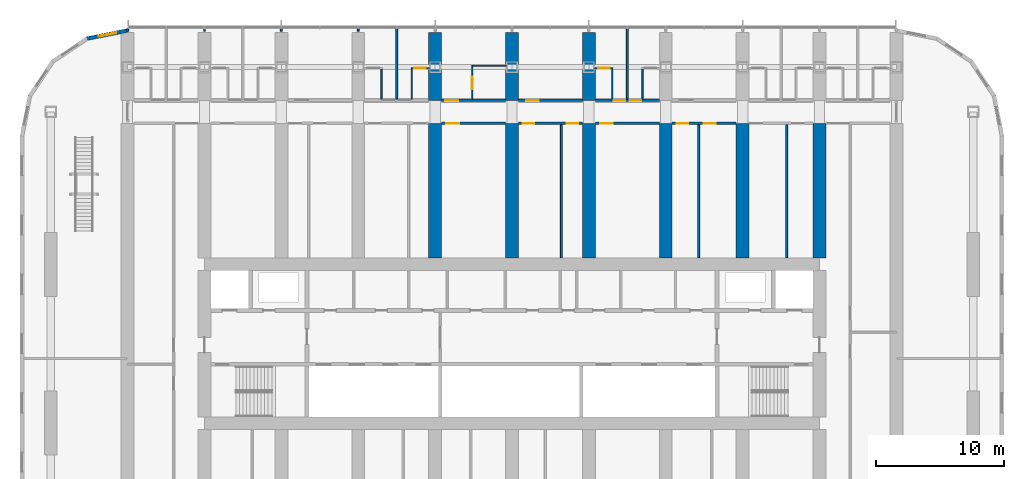
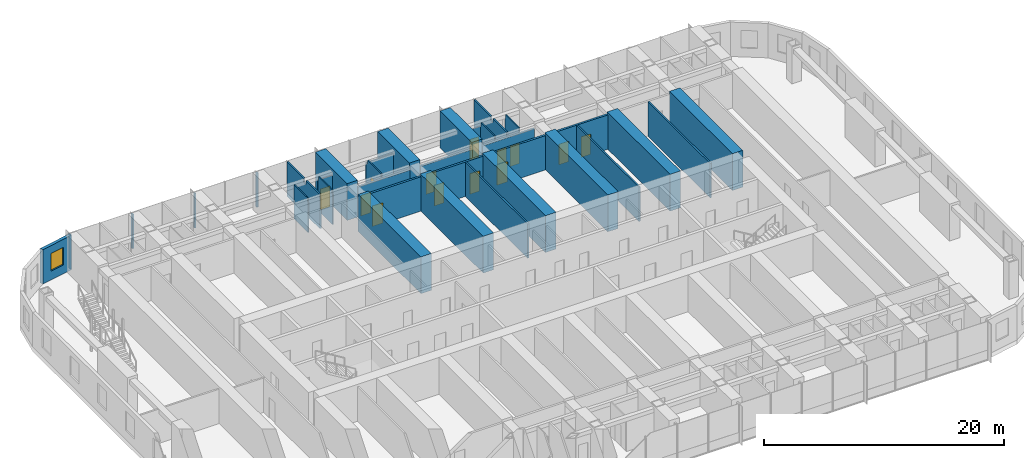
# One storey, part 18 of 28: 34 walls, 13 doors, 1 window, 14 openings.
"""IFC4 building model written with IfcOpenShell, lengths in metres."""

from ifc_helpers import new_model, si_unit, direction, frame, frame_2d, origin, place, context, subcontext, project, spatial, polyline, rectangle, outline, extrude, material, layer, layer_set, type_object, element, fill, save


model = new_model("IFC4")

# Units and contexts
model_context = context("Model", 3, precision=1e-05, world=origin(), true_north=direction((0.0, 1.0)))
body_context = subcontext(model_context, "Body", "Model", "MODEL_VIEW")
ifc_project = project(units=[si_unit("LENGTHUNIT", "METRE"), si_unit("AREAUNIT", "SQUARE_METRE"), si_unit("VOLUMEUNIT", "CUBIC_METRE"), si_unit("PLANEANGLEUNIT", "RADIAN"), si_unit("MASSUNIT", "GRAM", prefix="KILO")], contexts=[model_context])

# Site, building, storey
site_placement = place(None, origin())
site = spatial("IfcSite", under=ifc_project, at=site_placement, CompositionType="ELEMENT")
building_placement = place(site_placement, origin())
building = spatial("IfcBuilding", under=site, at=building_placement, Name="Orbita Commons", CompositionType="ELEMENT")
storey_placement = place(building_placement, frame((0.0, 0.0, 23.949951171875)))
storey = spatial("IfcBuildingStorey", under=building, at=storey_placement, Name="L05", CompositionType="ELEMENT", Elevation=23.949951171875)

# Wall, opening, door
ifc_material_1 = material(Name="Concrete blockwork", Category="masonry")
ifc_layer_1 = layer(ifc_material_1, 0.199951171875)
ifc_layer_set_1 = layer_set([ifc_layer_1], Name="Concrete blockwork")
wall_type_1 = type_object("IfcWallType", Name="Corridor wall 200 blockwork", PredefinedType="SOLIDWALL", material=ifc_layer_set_1)
wall_1_placement = place(storey_placement, frame((36.5, 51.0, 0.0), z_axis=(0.0, 0.0, 1.0), x_axis=(1.0, 0.0, 0.0)))
wall_1 = element("IfcWall", 1, at=wall_1_placement, inside=storey, type_object=wall_type_1, Name="Corridor wall 200 blockwork L05", PredefinedType="SOLIDWALL", context=body_context, shape_type="SweptSolid", body=[
    extrude(outline(polyline([(0.0, 0.0), (5.0, 0.0), (5.0, 3.10009765625), (0.0, 3.10009765625), (0.0, 0.0)])), frame((0.0, 0.10009765625, 0.0), z_axis=(0.0, -1.0, 0.0), x_axis=(1.0, 0.0, 0.0)), (0.0, 0.0, 1.0), 0.199951171875),
])
opening_1_placement = place(wall_1_placement, frame((0.300048828125, 0.0, 0.0)))
opening_1 = element("IfcOpeningElement", 2, at=opening_1_placement, cuts=wall_1, Name="Opening D06", PredefinedType="OPENING", context=body_context, shape_type="SweptSolid", body=[
    extrude(rectangle(XDim=1.0, YDim=2.10009765625, at=frame_2d((0.5, 1.050048828125))), frame((0.0, 0.10986328125, 0.0), z_axis=(0.0, -1.0, 0.0), x_axis=(1.0, 0.0, 0.0)), (0.0, 0.0, 1.0), 0.219970703125),
])
ifc_material_2 = material(Name="Steel-faced fire door leaf", Category="steel")
door_type_1 = type_object("IfcDoorType", Name="Corridor door 20 min 1000x2100", OperationType="SINGLE_SWING_LEFT", PredefinedType="DOOR", material=ifc_material_2)
door_1_placement = place(opening_1_placement, origin())
door_1 = element("IfcDoor", 3, at=door_1_placement, inside=storey, type_object=door_type_1, Name="Accessible bedroom L05-N08 door", OperationType="SINGLE_SWING_LEFT", OverallHeight=2.10009765625, OverallWidth=1.0, PredefinedType="DOOR", context=body_context, shape_type="SweptSolid", body=[
    extrude(rectangle(XDim=1.0, YDim=2.10009765625, at=frame_2d((0.5, 1.050048828125))), frame((0.0, 0.02490234375, 0.0), z_axis=(0.0, -1.0, 0.0), x_axis=(1.0, 0.0, 0.0)), (0.0, 0.0, 1.0), 0.050048828125),
])
fill(opening_1, door_1)

wall_2_placement = place(storey_placement, frame((42.5, 51.0, 0.0), z_axis=(0.0, 0.0, 1.0), x_axis=(1.0, 0.0, 0.0)))
wall_2 = element("IfcWall", 4, at=wall_2_placement, inside=storey, type_object=wall_type_1, Name="Corridor wall 200 blockwork L05", PredefinedType="SOLIDWALL", context=body_context, shape_type="SweptSolid", body=[
    extrude(outline(polyline([(0.0, 0.0), (5.0, 0.0), (5.0, 3.10009765625), (0.0, 3.10009765625), (0.0, 0.0)])), frame((0.0, 0.10009765625, 0.0), z_axis=(0.0, -1.0, 0.0), x_axis=(1.0, 0.0, 0.0)), (0.0, 0.0, 1.0), 0.199951171875),
])
opening_2_placement = place(wall_2_placement, frame((0.60009765625, 0.0, 0.0)))
opening_2 = element("IfcOpeningElement", 5, at=opening_2_placement, cuts=wall_2, Name="Opening D06", PredefinedType="OPENING", context=body_context, shape_type="SweptSolid", body=[
    extrude(rectangle(XDim=1.0, YDim=2.10009765625, at=frame_2d((0.5, 1.050048828125))), frame((0.0, 0.10986328125, 0.0), z_axis=(0.0, -1.0, 0.0), x_axis=(1.0, 0.0, 0.0)), (0.0, 0.0, 1.0), 0.219970703125),
])
door_2_placement = place(opening_2_placement, origin())
door_2 = element("IfcDoor", 6, at=door_2_placement, inside=storey, type_object=door_type_1, Name="House kitchen-diner L05-N10 door", OperationType="SINGLE_SWING_LEFT", OverallHeight=2.10009765625, OverallWidth=1.0, PredefinedType="DOOR", context=body_context, shape_type="SweptSolid", body=[
    extrude(rectangle(XDim=1.0, YDim=2.10009765625, at=frame_2d((0.5, 1.050048828125))), frame((0.0, 0.02490234375, 0.0), z_axis=(0.0, -1.0, 0.0), x_axis=(1.0, 0.0, 0.0)), (0.0, 0.0, 1.0), 0.050048828125),
])
fill(opening_2, door_2)

# Wall, openings, doors
wall_3_placement = place(storey_placement, frame((48.5, 51.0, 0.0), z_axis=(0.0, 0.0, 1.0), x_axis=(1.0, 0.0, 0.0)))
wall_3 = element("IfcWall", 7, at=wall_3_placement, inside=storey, type_object=wall_type_1, Name="Corridor wall 200 blockwork L05", PredefinedType="SOLIDWALL", context=body_context, shape_type="SweptSolid", body=[
    extrude(outline(polyline([(0.0, 0.0), (5.0, 0.0), (5.0, 3.10009765625), (0.0, 3.10009765625), (0.0, 0.0)])), frame((0.0, 0.10009765625, 0.0), z_axis=(0.0, -1.0, 0.0), x_axis=(1.0, 0.0, 0.0)), (0.0, 0.0, 1.0), 0.199951171875),
])
opening_3_placement = place(wall_3_placement, frame((1.425048828125, 0.0, 0.0)))
opening_3 = element("IfcOpeningElement", 8, at=opening_3_placement, cuts=wall_3, Name="Opening D11", PredefinedType="OPENING", context=body_context, shape_type="SweptSolid", body=[
    extrude(rectangle(XDim=0.89990234375, YDim=2.10009765625, at=frame_2d((0.449951171875, 1.050048828125))), frame((0.0, 0.10986328125, 0.0), z_axis=(0.0, -1.0, 0.0), x_axis=(1.0, 0.0, 0.0)), (0.0, 0.0, 1.0), 0.219970703125),
])
opening_4_placement = place(wall_3_placement, frame((2.675048828125, 0.0, 0.0)))
opening_4 = element("IfcOpeningElement", 9, at=opening_4_placement, cuts=wall_3, Name="Opening D11", PredefinedType="OPENING", context=body_context, shape_type="SweptSolid", body=[
    extrude(rectangle(XDim=0.89990234375, YDim=2.10009765625, at=frame_2d((0.449951171875, 1.050048828125))), frame((0.0, 0.10986328125, 0.0), z_axis=(0.0, -1.0, 0.0), x_axis=(1.0, 0.0, 0.0)), (0.0, 0.0, 1.0), 0.219970703125),
])
ifc_material_3 = material(Name="Steel-faced fire door leaf", Category="steel")
door_type_2 = type_object("IfcDoorType", Name="Corridor door 20 min 900x2100", OperationType="SINGLE_SWING_LEFT", PredefinedType="DOOR", material=ifc_material_3)
door_3_placement = place(opening_3_placement, origin())
door_3 = element("IfcDoor", 10, at=door_3_placement, inside=storey, type_object=door_type_2, Name="House bedroom L05-N12 door", OperationType="SINGLE_SWING_LEFT", OverallHeight=2.10009765625, OverallWidth=0.89990234375, PredefinedType="DOOR", context=body_context, shape_type="SweptSolid", body=[
    extrude(rectangle(XDim=0.89990234375, YDim=2.10009765625, at=frame_2d((0.449951171875, 1.050048828125))), frame((0.0, 0.02490234375, 0.0), z_axis=(0.0, -1.0, 0.0), x_axis=(1.0, 0.0, 0.0)), (0.0, 0.0, 1.0), 0.050048828125),
])
fill(opening_3, door_3)
door_4_placement = place(opening_4_placement, origin())
door_4 = element("IfcDoor", 11, at=door_4_placement, inside=storey, type_object=door_type_2, Name="House bedroom L05-N13 door", OperationType="SINGLE_SWING_LEFT", OverallHeight=2.10009765625, OverallWidth=0.89990234375, PredefinedType="DOOR", context=body_context, shape_type="SweptSolid", body=[
    extrude(rectangle(XDim=0.89990234375, YDim=2.10009765625, at=frame_2d((0.449951171875, 1.050048828125))), frame((0.0, 0.02490234375, 0.0), z_axis=(0.0, -1.0, 0.0), x_axis=(1.0, 0.0, 0.0)), (0.0, 0.0, 1.0), 0.050048828125),
])
fill(opening_4, door_4)

# Wall, opening, door
ifc_material_4 = material(Name="Hollow concrete block 200", Category="concrete")
ifc_layer_2 = layer(ifc_material_4, 0.199951171875)
ifc_layer_set_2 = layer_set([ifc_layer_2], Name="Hollow concrete block 200")
wall_type_2 = type_object("IfcWallType", Name="Corridor wall 200 hollow concrete block", PredefinedType="SOLIDWALL", material=ifc_layer_set_2)
wall_4_placement = place(storey_placement, frame((36.5, 49.199951171875, 0.0), z_axis=(0.0, 0.0, 1.0), x_axis=(1.0, 0.0, 0.0)))
wall_4 = element("IfcWall", 12, at=wall_4_placement, inside=storey, type_object=wall_type_2, Name="Corridor wall 200 hollow concrete block L05", PredefinedType="SOLIDWALL", context=body_context, shape_type="SweptSolid", body=[
    extrude(rectangle(XDim=5.0, YDim=0.199951171875, at=frame_2d((2.5, 0.0))), origin(), (0.0, 0.0, 1.0), 3.5),
])
opening_5_placement = place(wall_4_placement, frame((0.375, 0.0, 0.0)))
opening_5 = element("IfcOpeningElement", 13, at=opening_5_placement, cuts=wall_4, Name="Opening D06", PredefinedType="OPENING", context=body_context, shape_type="SweptSolid", body=[
    extrude(rectangle(XDim=1.0, YDim=2.10009765625, at=frame_2d((0.5, 1.050048828125))), frame((0.0, 0.10986328125, 0.0), z_axis=(0.0, -1.0, 0.0), x_axis=(1.0, 0.0, 0.0)), (0.0, 0.0, 1.0), 0.219970703125),
])
door_5_placement = place(opening_5_placement, origin())
door_5 = element("IfcDoor", 14, at=door_5_placement, inside=storey, type_object=door_type_1, Name="Ventilation plant room south L05-BDN36 door", OperationType="SINGLE_SWING_LEFT", OverallHeight=2.10009765625, OverallWidth=1.0, PredefinedType="DOOR", context=body_context, shape_type="SweptSolid", body=[
    extrude(rectangle(XDim=1.0, YDim=2.10009765625, at=frame_2d((0.5, 1.050048828125))), frame((0.0, 0.02490234375, 0.0), z_axis=(0.0, -1.0, 0.0), x_axis=(1.0, 0.0, 0.0)), (0.0, 0.0, 1.0), 0.050048828125),
])
fill(opening_5, door_5)

# Wall, openings, doors
wall_5_placement = place(storey_placement, frame((42.5, 49.199951171875, 0.0), z_axis=(0.0, 0.0, 1.0), x_axis=(1.0, 0.0, 0.0)))
wall_5 = element("IfcWall", 15, at=wall_5_placement, inside=storey, type_object=wall_type_2, Name="Corridor wall 200 hollow concrete block L05", PredefinedType="SOLIDWALL", context=body_context, shape_type="SweptSolid", body=[
    extrude(rectangle(XDim=5.0, YDim=0.199951171875, at=frame_2d((2.5, 0.0))), origin(), (0.0, 0.0, 1.0), 3.5),
])
opening_6_placement = place(wall_5_placement, frame((0.35009765625, 0.0, 0.0)))
opening_6 = element("IfcOpeningElement", 16, at=opening_6_placement, cuts=wall_5, Name="Opening D11", PredefinedType="OPENING", context=body_context, shape_type="SweptSolid", body=[
    extrude(rectangle(XDim=0.89990234375, YDim=2.10009765625, at=frame_2d((0.449951171875, 1.050048828125))), frame((0.0, 0.10986328125, 0.0), z_axis=(0.0, -1.0, 0.0), x_axis=(1.0, 0.0, 0.0)), (0.0, 0.0, 1.0), 0.219970703125),
])
opening_7_placement = place(wall_5_placement, frame((3.780029296875, 0.0, 0.0)))
opening_7 = element("IfcOpeningElement", 17, at=opening_7_placement, cuts=wall_5, Name="Opening D11", PredefinedType="OPENING", context=body_context, shape_type="SweptSolid", body=[
    extrude(rectangle(XDim=0.89990234375, YDim=2.10009765625, at=frame_2d((0.449951171875, 1.050048828125))), frame((0.0, 0.10986328125, 0.0), z_axis=(0.0, -1.0, 0.0), x_axis=(1.0, 0.0, 0.0)), (0.0, 0.0, 1.0), 0.219970703125),
])
door_6_placement = place(opening_6_placement, origin())
door_6 = element("IfcDoor", 18, at=door_6_placement, inside=storey, type_object=door_type_2, Name="Furniture store L05-BDN42 door", OperationType="SINGLE_SWING_LEFT", OverallHeight=2.10009765625, OverallWidth=0.89990234375, PredefinedType="DOOR", context=body_context, shape_type="SweptSolid", body=[
    extrude(rectangle(XDim=0.89990234375, YDim=2.10009765625, at=frame_2d((0.449951171875, 1.050048828125))), frame((0.0, 0.02490234375, 0.0), z_axis=(0.0, -1.0, 0.0), x_axis=(1.0, 0.0, 0.0)), (0.0, 0.0, 1.0), 0.050048828125),
])
fill(opening_6, door_6)
door_7_placement = place(opening_7_placement, origin())
door_7 = element("IfcDoor", 19, at=door_7_placement, inside=storey, type_object=door_type_2, Name="Battery and UPS room L05-BDN42n door", OperationType="SINGLE_SWING_LEFT", OverallHeight=2.10009765625, OverallWidth=0.89990234375, PredefinedType="DOOR", context=body_context, shape_type="SweptSolid", body=[
    extrude(rectangle(XDim=0.89990234375, YDim=2.10009765625, at=frame_2d((0.449951171875, 1.050048828125))), frame((0.0, 0.02490234375, 0.0), z_axis=(0.0, -1.0, 0.0), x_axis=(1.0, 0.0, 0.0)), (0.0, 0.0, 1.0), 0.050048828125),
])
fill(opening_7, door_7)

# Wall, opening, door
wall_6_placement = place(storey_placement, frame((48.5, 49.199951171875, 0.0), z_axis=(0.0, 0.0, 1.0), x_axis=(1.0, 0.0, 0.0)))
wall_6 = element("IfcWall", 20, at=wall_6_placement, inside=storey, type_object=wall_type_2, Name="Corridor wall 200 hollow concrete block L05", PredefinedType="SOLIDWALL", context=body_context, shape_type="SweptSolid", body=[
    extrude(rectangle(XDim=5.0, YDim=0.199951171875, at=frame_2d((2.5, 0.0))), origin(), (0.0, 0.0, 1.0), 3.5),
])
opening_8_placement = place(wall_6_placement, frame((0.375, 0.0, 0.0)))
opening_8 = element("IfcOpeningElement", 21, at=opening_8_placement, cuts=wall_6, Name="Opening D06", PredefinedType="OPENING", context=body_context, shape_type="SweptSolid", body=[
    extrude(rectangle(XDim=1.0, YDim=2.10009765625, at=frame_2d((0.5, 1.050048828125))), frame((0.0, 0.10986328125, 0.0), z_axis=(0.0, -1.0, 0.0), x_axis=(1.0, 0.0, 0.0)), (0.0, 0.0, 1.0), 0.219970703125),
])
door_8_placement = place(opening_8_placement, origin())
door_8 = element("IfcDoor", 22, at=door_8_placement, inside=storey, type_object=door_type_1, Name="Store L05-BDN48 door", OperationType="SINGLE_SWING_LEFT", OverallHeight=2.10009765625, OverallWidth=1.0, PredefinedType="DOOR", context=body_context, shape_type="SweptSolid", body=[
    extrude(rectangle(XDim=1.0, YDim=2.10009765625, at=frame_2d((0.5, 1.050048828125))), frame((0.0, 0.02490234375, 0.0), z_axis=(0.0, -1.0, 0.0), x_axis=(1.0, 0.0, 0.0)), (0.0, 0.0, 1.0), 0.050048828125),
])
fill(opening_8, door_8)

# Wall, openings, doors
wall_7_placement = place(storey_placement, frame((54.5, 49.199951171875, 0.0), z_axis=(0.0, 0.0, 1.0), x_axis=(1.0, 0.0, 0.0)))
wall_7 = element("IfcWall", 23, at=wall_7_placement, inside=storey, type_object=wall_type_2, Name="Corridor wall 200 hollow concrete block L05", PredefinedType="SOLIDWALL", context=body_context, shape_type="SweptSolid", body=[
    extrude(rectangle(XDim=5.0, YDim=0.199951171875, at=frame_2d((2.5, 0.0))), origin(), (0.0, 0.0, 1.0), 3.5),
])
opening_9_placement = place(wall_7_placement, frame((0.35009765625, 0.0, 0.0)))
opening_9 = element("IfcOpeningElement", 24, at=opening_9_placement, cuts=wall_7, Name="Opening D11", PredefinedType="OPENING", context=body_context, shape_type="SweptSolid", body=[
    extrude(rectangle(XDim=0.89990234375, YDim=2.10009765625, at=frame_2d((0.449951171875, 1.050048828125))), frame((0.0, 0.10986328125, 0.0), z_axis=(0.0, -1.0, 0.0), x_axis=(1.0, 0.0, 0.0)), (0.0, 0.0, 1.0), 0.219970703125),
])
opening_10_placement = place(wall_7_placement, frame((2.485107421875, 0.0, 0.0)))
opening_10 = element("IfcOpeningElement", 25, at=opening_10_placement, cuts=wall_7, Name="Opening D11", PredefinedType="OPENING", context=body_context, shape_type="SweptSolid", body=[
    extrude(rectangle(XDim=0.89990234375, YDim=2.10009765625, at=frame_2d((0.449951171875, 1.050048828125))), frame((0.0, 0.10986328125, 0.0), z_axis=(0.0, -1.0, 0.0), x_axis=(1.0, 0.0, 0.0)), (0.0, 0.0, 1.0), 0.219970703125),
])
door_9_placement = place(opening_9_placement, origin())
door_9 = element("IfcDoor", 26, at=door_9_placement, inside=storey, type_object=door_type_2, Name="Sprinkler valve room L05-BDN54n door", OperationType="SINGLE_SWING_LEFT", OverallHeight=2.10009765625, OverallWidth=0.89990234375, PredefinedType="DOOR", context=body_context, shape_type="SweptSolid", body=[
    extrude(rectangle(XDim=0.89990234375, YDim=2.10009765625, at=frame_2d((0.449951171875, 1.050048828125))), frame((0.0, 0.02490234375, 0.0), z_axis=(0.0, -1.0, 0.0), x_axis=(1.0, 0.0, 0.0)), (0.0, 0.0, 1.0), 0.050048828125),
])
fill(opening_9, door_9)
door_10_placement = place(opening_10_placement, origin())
door_10 = element("IfcDoor", 27, at=door_10_placement, inside=storey, type_object=door_type_2, Name="Bulk and luggage store L05-BDN54 door", OperationType="SINGLE_SWING_LEFT", OverallHeight=2.10009765625, OverallWidth=0.89990234375, PredefinedType="DOOR", context=body_context, shape_type="SweptSolid", body=[
    extrude(rectangle(XDim=0.89990234375, YDim=2.10009765625, at=frame_2d((0.449951171875, 1.050048828125))), frame((0.0, 0.02490234375, 0.0), z_axis=(0.0, -1.0, 0.0), x_axis=(1.0, 0.0, 0.0)), (0.0, 0.0, 1.0), 0.050048828125),
])
fill(opening_10, door_10)

# Walls
ifc_material_5 = material(Name="Concrete C50/60", Category="concrete")
ifc_layer_3 = layer(ifc_material_5, 1.0)
ifc_layer_set_3 = layer_set([ifc_layer_3], Name="Concrete C50/60")
wall_type_3 = type_object("IfcWallType", Name="Cross wall 1000 C50/60", PredefinedType="SHEAR", material=ifc_layer_set_3)
wall_8_placement = place(storey_placement, frame((36.0, 51.0, 0.0), z_axis=(0.0, 0.0, 1.0), x_axis=(0.0, 1.0, 0.0)))
element("IfcWall", 28, at=wall_8_placement, inside=storey, type_object=wall_type_3, Name="Cross wall 7 north outer L05", PredefinedType="SHEAR", context=body_context, shape_type="SweptSolid", body=[
    extrude(rectangle(XDim=5.300048828125, YDim=1.0, at=frame_2d((2.64990234375, 0.0))), origin(), (0.0, 0.0, 1.0), 3.75),
])
wall_9_placement = place(storey_placement, frame((36.0, 38.699951171875, 0.0), z_axis=(0.0, 0.0, 1.0), x_axis=(0.0, 1.0, 0.0)))
element("IfcWall", 29, at=wall_9_placement, inside=storey, type_object=wall_type_3, Name="Cross wall 7 north inner L05", PredefinedType="SHEAR", context=body_context, shape_type="SweptSolid", body=[
    extrude(rectangle(XDim=10.5, YDim=1.0, at=frame_2d((5.25, 0.0))), origin(), (0.0, 0.0, 1.0), 3.75),
])
wall_10_placement = place(storey_placement, frame((42.0, 51.0, 0.0), z_axis=(0.0, 0.0, 1.0), x_axis=(0.0, 1.0, 0.0)))
element("IfcWall", 30, at=wall_10_placement, inside=storey, type_object=wall_type_3, Name="Cross wall 8 north outer L05", PredefinedType="SHEAR", context=body_context, shape_type="SweptSolid", body=[
    extrude(rectangle(XDim=5.300048828125, YDim=1.0, at=frame_2d((2.64990234375, 0.0))), origin(), (0.0, 0.0, 1.0), 3.75),
])
wall_11_placement = place(storey_placement, frame((42.0, 38.699951171875, 0.0), z_axis=(0.0, 0.0, 1.0), x_axis=(0.0, 1.0, 0.0)))
element("IfcWall", 31, at=wall_11_placement, inside=storey, type_object=wall_type_3, Name="Cross wall 8 north inner L05", PredefinedType="SHEAR", context=body_context, shape_type="SweptSolid", body=[
    extrude(rectangle(XDim=10.5, YDim=1.0, at=frame_2d((5.25, 0.0))), origin(), (0.0, 0.0, 1.0), 3.75),
])
wall_12_placement = place(storey_placement, frame((48.0, 51.0, 0.0), z_axis=(0.0, 0.0, 1.0), x_axis=(0.0, 1.0, 0.0)))
element("IfcWall", 32, at=wall_12_placement, inside=storey, type_object=wall_type_3, Name="Cross wall 9 north outer L05", PredefinedType="SHEAR", context=body_context, shape_type="SweptSolid", body=[
    extrude(rectangle(XDim=5.300048828125, YDim=1.0, at=frame_2d((2.64990234375, 0.0))), origin(), (0.0, 0.0, 1.0), 3.75),
])
for number, where, z_axis, x_axis, name in (
    (33, (48.0, 38.699951171875, 0.0), (0.0, 0.0, 1.0), (0.0, 1.0, 0.0), "Cross wall 9 north inner L05"),
    (34, (54.0, 38.699951171875, 0.0), (0.0, 0.0, 1.0), (0.0, 1.0, 0.0), "Cross wall 10 north inner L05"),
    (35, (60.0, 38.699951171875, 0.0), (0.0, 0.0, 1.0), (0.0, 1.0, 0.0), "Cross wall 11 north inner L05"),
    (36, (66.0, 38.699951171875, 0.0), (0.0, 0.0, 1.0), (0.0, 1.0, 0.0), "Cross wall 12 north inner L05"),
):
    element("IfcWall", number, at=place(storey_placement, frame(where, z_axis=z_axis, x_axis=x_axis)), inside=storey, type_object=wall_type_3, Name=name, PredefinedType="SHEAR", context=body_context, shape_type="SweptSolid", body=[
        extrude(rectangle(XDim=10.5, YDim=1.0, at=frame_2d((5.25, 0.0))), origin(), (0.0, 0.0, 1.0), 3.75),
    ])
ifc_material_6 = material(Name="Moisture-resistant plasterboard on steel studs", Category="steel")
ifc_layer_4 = layer(ifc_material_6, 0.10009765625)
ifc_layer_set_4 = layer_set([ifc_layer_4], Name="Moisture-resistant plasterboard on steel studs")
wall_type_4 = type_object("IfcWallType", Name="En-suite partition 100", PredefinedType="PARTITIONING", material=ifc_layer_set_4)
wall_13_placement = place(storey_placement, frame((31.824951171875, 53.449951171875, 0.0), z_axis=(0.0, 0.0, 1.0), x_axis=(0.0, -1.0, 0.0)))
element("IfcWall", 37, at=wall_13_placement, inside=storey, type_object=wall_type_4, Name="En-suite partition 100 L05", PredefinedType="PARTITIONING", context=body_context, shape_type="SweptSolid", body=[
    extrude(outline(polyline([(0.0, 0.0), (2.349853515625, 0.0), (2.35009765625, 3.10009765625), (2.302001953125, 3.10009765625), (2.300048828125, 3.5), (0.052001953125, 3.5), (0.050048828125, 3.10009765625), (0.0, 3.10009765625), (0.0, 0.0)])), frame((0.0, 0.050048828125, 0.0), z_axis=(0.0, -1.0, 0.0), x_axis=(1.0, 0.0, 0.0)), (0.0, 0.0, 1.0), 0.10009765625),
])

# Wall, opening, door
wall_14_placement = place(storey_placement, frame((34.125, 53.5, 0.0), z_axis=(0.0, 0.0, 1.0), x_axis=(1.0, 0.0, 0.0)))
wall_14 = element("IfcWall", 38, at=wall_14_placement, inside=storey, type_object=wall_type_4, Name="En-suite partition 100 L05", PredefinedType="PARTITIONING", context=body_context, shape_type="SweptSolid", body=[
    extrude(outline(polyline([(0.0, 0.0), (1.425048828125, 0.0), (1.425048828125, 3.10009765625), (0.0, 3.10009765625), (0.0, 0.0)])), frame((0.0, 0.050048828125, 0.0), z_axis=(0.0, -1.0, 0.0), x_axis=(1.0, 0.0, 0.0)), (0.0, 0.0, 1.0), 0.10009765625),
])
opening_11_placement = place(wall_14_placement, frame((0.237548828125, 0.0, 0.0)))
opening_11 = element("IfcOpeningElement", 39, at=opening_11_placement, cuts=wall_14, Name="Opening D09", PredefinedType="OPENING", context=body_context, shape_type="SweptSolid", body=[
    extrude(rectangle(XDim=0.89990234375, YDim=2.10009765625, at=frame_2d((0.449951171875, 1.050048828125))), frame((0.0, 0.06005859375, 0.0), z_axis=(0.0, -1.0, 0.0), x_axis=(1.0, 0.0, 0.0)), (0.0, 0.0, 1.0), 0.1201171875),
])
ifc_material_7 = material(Name="Laminated timber door leaf", Category="wood")
door_type_3 = type_object("IfcDoorType", Name="En-suite door 900x2100", OperationType="SINGLE_SWING_RIGHT", PredefinedType="DOOR", material=ifc_material_7)
door_11_placement = place(opening_11_placement, origin())
door_11 = element("IfcDoor", 40, at=door_11_placement, inside=storey, type_object=door_type_3, Name="En-suite L05-N07 door", OperationType="SINGLE_SWING_RIGHT", OverallHeight=2.10009765625, OverallWidth=0.89990234375, PredefinedType="DOOR", context=body_context, shape_type="SweptSolid", body=[
    extrude(rectangle(XDim=0.89990234375, YDim=2.10009765625, at=frame_2d((0.449951171875, 1.050048828125))), frame((0.0, 0.02490234375, 0.0), z_axis=(0.0, -1.0, 0.0), x_axis=(1.0, 0.0, 0.0)), (0.0, 0.0, 1.0), 0.050048828125),
])
fill(opening_11, door_11)

# Walls
wall_15_placement = place(storey_placement, frame((34.175048828125, 53.449951171875, 0.0), z_axis=(0.0, 0.0, 1.0), x_axis=(0.0, -1.0, 0.0)))
element("IfcWall", 41, at=wall_15_placement, inside=storey, type_object=wall_type_4, Name="En-suite partition 100 L05", PredefinedType="PARTITIONING", context=body_context, shape_type="SweptSolid", body=[
    extrude(outline(polyline([(0.0, 0.0), (2.349853515625, 0.0), (2.35009765625, 3.10009765625), (2.302001953125, 3.10009765625), (2.300048828125, 3.5), (0.052001953125, 3.5), (0.050048828125, 3.10009765625), (0.0, 3.10009765625), (0.0, 0.0)])), frame((0.0, 0.050048828125, 0.0), z_axis=(0.0, -1.0, 0.0), x_axis=(1.0, 0.0, 0.0)), (0.0, 0.0, 1.0), 0.10009765625),
])
wall_16_placement = place(storey_placement, frame((38.85009765625, 53.699951171875, 0.0), z_axis=(0.0, 0.0, 1.0), x_axis=(1.0, 0.0, 0.0)))
element("IfcWall", 42, at=wall_16_placement, inside=storey, type_object=wall_type_4, Name="En-suite partition 100 L05", PredefinedType="PARTITIONING", context=body_context, shape_type="SweptSolid", body=[
    extrude(outline(polyline([(0.0, 0.0), (2.699951171875, 0.0), (2.699951171875, 3.10009765625), (0.0, 3.10009765625), (0.0, 0.0)])), frame((0.0, 0.050048828125, 0.0), z_axis=(0.0, -1.0, 0.0), x_axis=(1.0, 0.0, 0.0)), (0.0, 0.0, 1.0), 0.10009765625),
])

# Wall, opening, door
wall_17_placement = place(storey_placement, frame((38.89990234375, 53.64990234375, 0.0), z_axis=(0.0, 0.0, 1.0), x_axis=(0.0, -1.0, 0.0)))
wall_17 = element("IfcWall", 43, at=wall_17_placement, inside=storey, type_object=wall_type_4, Name="En-suite partition 100 L05", PredefinedType="PARTITIONING", context=body_context, shape_type="SweptSolid", body=[
    extrude(outline(polyline([(0.0, 0.0), (2.5498046875, 0.0), (2.550048828125, 3.10009765625), (2.501953125, 3.10009765625), (2.5, 3.5), (0.251953125, 3.5), (0.25, 3.10009765625), (0.0, 3.10009765625), (0.0, 0.0)])), frame((0.0, 0.050048828125, 0.0), z_axis=(0.0, -1.0, 0.0), x_axis=(1.0, 0.0, 0.0)), (0.0, 0.0, 1.0), 0.10009765625),
])
opening_12_placement = place(wall_17_placement, frame((0.800048828125, 0.0, 0.0)))
opening_12 = element("IfcOpeningElement", 44, at=opening_12_placement, cuts=wall_17, Name="Opening D13", PredefinedType="OPENING", context=body_context, shape_type="SweptSolid", body=[
    extrude(rectangle(XDim=1.0, YDim=2.10009765625, at=frame_2d((0.5, 1.050048828125))), frame((0.0, 0.06005859375, 0.0), z_axis=(0.0, -1.0, 0.0), x_axis=(1.0, 0.0, 0.0)), (0.0, 0.0, 1.0), 0.1201171875),
])
ifc_material_8 = material(Name="Laminated timber door leaf", Category="wood")
door_type_4 = type_object("IfcDoorType", Name="En-suite door 1000x2100", OperationType="SINGLE_SWING_RIGHT", PredefinedType="DOOR", material=ifc_material_8)
door_12_placement = place(opening_12_placement, origin())
door_12 = element("IfcDoor", 45, at=door_12_placement, inside=storey, type_object=door_type_4, Name="Accessible shower room L05-N08 door", OperationType="SINGLE_SWING_RIGHT", OverallHeight=2.10009765625, OverallWidth=1.0, PredefinedType="DOOR", context=body_context, shape_type="SweptSolid", body=[
    extrude(rectangle(XDim=1.0, YDim=2.10009765625, at=frame_2d((0.5, 1.050048828125))), frame((0.0, 0.02490234375, 0.0), z_axis=(0.0, -1.0, 0.0), x_axis=(1.0, 0.0, 0.0)), (0.0, 0.0, 1.0), 0.050048828125),
])
fill(opening_12, door_12)

wall_18_placement = place(storey_placement, frame((48.449951171875, 53.5, 0.0), z_axis=(0.0, 0.0, 1.0), x_axis=(1.0, 0.0, 0.0)))
wall_18 = element("IfcWall", 46, at=wall_18_placement, inside=storey, type_object=wall_type_4, Name="En-suite partition 100 L05", PredefinedType="PARTITIONING", context=body_context, shape_type="SweptSolid", body=[
    extrude(outline(polyline([(0.0, 0.0), (1.425048828125, 0.0), (1.425048828125, 3.10009765625), (0.0, 3.10009765625), (0.0, 0.0)])), frame((0.0, 0.050048828125, 0.0), z_axis=(0.0, -1.0, 0.0), x_axis=(1.0, 0.0, 0.0)), (0.0, 0.0, 1.0), 0.10009765625),
])
opening_13_placement = place(wall_18_placement, frame((0.28759765625, 0.0, 0.0)))
opening_13 = element("IfcOpeningElement", 47, at=opening_13_placement, cuts=wall_18, Name="Opening D09", PredefinedType="OPENING", context=body_context, shape_type="SweptSolid", body=[
    extrude(rectangle(XDim=0.89990234375, YDim=2.10009765625, at=frame_2d((0.449951171875, 1.050048828125))), frame((0.0, 0.06005859375, 0.0), z_axis=(0.0, -1.0, 0.0), x_axis=(1.0, 0.0, 0.0)), (0.0, 0.0, 1.0), 0.1201171875),
])
door_13_placement = place(opening_13_placement, origin())
door_13 = element("IfcDoor", 48, at=door_13_placement, inside=storey, type_object=door_type_3, Name="En-suite L05-N12 door", OperationType="SINGLE_SWING_RIGHT", OverallHeight=2.10009765625, OverallWidth=0.89990234375, PredefinedType="DOOR", context=body_context, shape_type="SweptSolid", body=[
    extrude(rectangle(XDim=0.89990234375, YDim=2.10009765625, at=frame_2d((0.449951171875, 1.050048828125))), frame((0.0, 0.02490234375, 0.0), z_axis=(0.0, -1.0, 0.0), x_axis=(1.0, 0.0, 0.0)), (0.0, 0.0, 1.0), 0.050048828125),
])
fill(opening_13, door_13)

# Walls
for number, where, z_axis, x_axis, name in (
    (49, (49.824951171875, 53.449951171875, 0.0), (0.0, 0.0, 1.0), (0.0, -1.0, 0.0), "En-suite partition 100 L05"),
    (50, (52.175048828125, 53.449951171875, 0.0), (0.0, 0.0, 1.0), (0.0, -1.0, 0.0), "En-suite partition 100 L05"),
):
    element("IfcWall", number, at=place(storey_placement, frame(where, z_axis=z_axis, x_axis=x_axis)), inside=storey, type_object=wall_type_4, Name=name, PredefinedType="PARTITIONING", context=body_context, shape_type="SweptSolid", body=[
        extrude(outline(polyline([(0.0, 0.0), (2.349853515625, 0.0), (2.35009765625, 3.10009765625), (2.302001953125, 3.10009765625), (2.300048828125, 3.5), (0.052001953125, 3.5), (0.050048828125, 3.10009765625), (0.0, 3.10009765625), (0.0, 0.0)])), frame((0.0, 0.050048828125, 0.0), z_axis=(0.0, -1.0, 0.0), x_axis=(1.0, 0.0, 0.0)), (0.0, 0.0, 1.0), 0.10009765625),
    ])
ifc_material_9 = material(Name="Gypsum plasterboard on steel studs", Category="steel")
ifc_layer_5 = layer(ifc_material_9, 0.14990234375)
ifc_layer_set_5 = layer_set([ifc_layer_5], Name="Gypsum plasterboard on steel studs")
wall_type_5 = type_object("IfcWallType", Name="Partition 150 plasterboard", PredefinedType="PARTITIONING", material=ifc_layer_set_5)
for number, where, z_axis, x_axis, name in (
    (51, (45.85498046875, 38.699951171875, 0.0), (0.0, 0.0, 1.0), (0.0, 1.0, 0.0), "Partition 150 plasterboard L05"),
    (52, (56.56005859375, 38.699951171875, 0.0), (0.0, 0.0, 1.0), (0.0, 1.0, 0.0), "Partition 150 plasterboard L05"),
    (53, (63.429931640625, 38.699951171875, 0.0), (0.0, 0.0, 1.0), (0.0, 1.0, 0.0), "Partition 150 plasterboard L05"),
):
    element("IfcWall", number, at=place(storey_placement, frame(where, z_axis=z_axis, x_axis=x_axis)), inside=storey, type_object=wall_type_5, Name=name, PredefinedType="PARTITIONING", context=body_context, shape_type="SweptSolid", body=[
        extrude(rectangle(XDim=10.400146484375, YDim=0.14990234375, at=frame_2d((5.2001953125, 0.0))), origin(), (0.0, 0.0, 1.0), 3.5),
    ])
wall_19_placement = place(storey_placement, frame((12.0, 56.39990234375, 0.0), z_axis=(0.0, 0.0, 1.0), x_axis=(0.0, 1.0, 0.0)))
element("IfcWall", 54, at=wall_19_placement, inside=storey, type_object=wall_type_5, Name="Partition 150 plasterboard L05", PredefinedType="PARTITIONING", context=body_context, shape_type="SweptSolid", body=[
    extrude(rectangle(XDim=0.22021484375, YDim=0.14990234375, at=frame_2d((0.110107421875, 0.0))), origin(), (0.0, 0.0, 1.0), 3.5),
])
for number, where, z_axis, x_axis, name in (
    (55, (18.0, 56.39990234375, 0.0), (0.0, 0.0, 1.0), (0.0, 1.0, 0.0), "Partition 150 plasterboard L05"),
    (56, (24.0, 56.39990234375, 0.0), (0.0, 0.0, 1.0), (0.0, 1.0, 0.0), "Partition 150 plasterboard L05"),
    (57, (30.0, 56.39990234375, 0.0), (0.0, 0.0, 1.0), (0.0, 1.0, 0.0), "Partition 150 plasterboard L05"),
):
    element("IfcWall", number, at=place(storey_placement, frame(where, z_axis=z_axis, x_axis=x_axis)), inside=storey, type_object=wall_type_5, Name=name, PredefinedType="PARTITIONING", context=body_context, shape_type="SweptSolid", body=[
        extrude(rectangle(XDim=0.190185546875, YDim=0.14990234375, at=frame_2d((0.09521484375, 0.0))), origin(), (0.0, 0.0, 1.0), 3.5),
    ])
ifc_material_10 = material(Name="Gypsum plasterboard on steel studs", Category="steel")
ifc_layer_6 = layer(ifc_material_10, 0.14990234375)
ifc_layer_set_6 = layer_set([ifc_layer_6], Name="Gypsum plasterboard on steel studs")
wall_type_6 = type_object("IfcWallType", Name="Party wall 150 plasterboard", PredefinedType="PARTITIONING", material=ifc_layer_set_6)
for number, where, z_axis, x_axis, name in (
    (58, (33.0, 56.590087890625, 0.0), (0.0, 0.0, 1.0), (0.0, -1.0, 0.0), "Party wall 150 plasterboard L05"),
    (59, (51.0, 56.590087890625, 0.0), (0.0, 0.0, 1.0), (0.0, -1.0, 0.0), "Party wall 150 plasterboard L05"),
):
    element("IfcWall", number, at=place(storey_placement, frame(where, z_axis=z_axis, x_axis=x_axis)), inside=storey, type_object=wall_type_6, Name=name, PredefinedType="PARTITIONING", context=body_context, shape_type="SweptSolid", body=[
        extrude(outline(polyline([(0.0, 0.0), (5.489990234375, 0.0), (5.489990234375, 3.10009765625), (5.44189453125, 3.10009765625), (5.43994140625, 3.5), (3.19189453125, 3.5), (3.18994140625, 3.10009765625), (2.7919921875, 3.10009765625), (2.7900390625, 3.5), (0.0, 3.5), (0.0, 0.0)])), frame((0.0, 0.074951171875, 0.0), z_axis=(0.0, -1.0, 0.0), x_axis=(1.0, 0.0, 0.0)), (0.0, 0.0, 1.0), 0.14990234375),
    ])

# Wall, opening, window
ifc_material_11 = material(Name="Precast concrete C40/50, white board-marked finish", Category="concrete")
ifc_layer_7 = layer(ifc_material_11, 0.300048828125)
ifc_layer_set_7 = layer_set([ifc_layer_7], Name="Precast concrete C40/50, white board-marked finish")
wall_type_7 = type_object("IfcWallType", Name="Precast concrete end shield 300", PredefinedType="SOLIDWALL", material=ifc_layer_set_7)
wall_20_placement = place(storey_placement, frame((12.0, 56.449951171875, 0.0), z_axis=(0.0, 0.0, 1.0), x_axis=(-0.980787251524, -0.195080412259, 0.0)))
wall_20 = element("IfcWall", 60, at=wall_20_placement, inside=storey, type_object=wall_type_7, Name="End shield NW chord 1 L05", PredefinedType="SOLIDWALL", context=body_context, shape_type="SweptSolid", body=[
    extrude(outline(polyline([(-0.02978515625, -0.14990234375), (3.24853515625, -0.14990234375), (3.18896484375, 0.14990234375), (0.02978515625, 0.14990234375), (-0.02978515625, -0.14990234375)])), origin(), (0.0, 0.0, 1.0), 3.5),
])
opening_14_placement = place(wall_20_placement, frame((0.909423828125, 0.0, 0.89990234375)))
opening_14 = element("IfcOpeningElement", 61, at=opening_14_placement, cuts=wall_20, Name="Opening W02", PredefinedType="OPENING", context=body_context, shape_type="SweptSolid", body=[
    extrude(rectangle(XDim=1.39990234375, YDim=1.800048828125, at=frame_2d((0.699951171875, 0.89990234375))), frame((0.0, 0.159912109375, 0.0), z_axis=(0.0, -1.0, 0.0), x_axis=(1.0, 0.0, 0.0)), (0.0, 0.0, 1.0), 0.320068359375),
])
ifc_material_12 = material(Name="Aluminium frame, clear double glazing", Category="aluminium")
window_type = type_object("IfcWindowType", Name="Deep-set window 1400x1800", PartitioningType="SINGLE_PANEL", PredefinedType="WINDOW", material=ifc_material_12)
window_placement = place(opening_14_placement, origin())
window = element("IfcWindow", 62, at=window_placement, inside=storey, type_object=window_type, Name="Window L05-NW0", OverallHeight=1.800048828125, OverallWidth=1.39990234375, PartitioningType="SINGLE_PANEL", PredefinedType="WINDOW", context=body_context, shape_type="SweptSolid", body=[
    extrude(rectangle(XDim=1.39990234375, YDim=1.800048828125, at=frame_2d((0.699951171875, 0.89990234375))), frame((0.0, 0.030029296875, 0.0), z_axis=(0.0, -1.0, 0.0), x_axis=(1.0, 0.0, 0.0)), (0.0, 0.0, 1.0), 0.06005859375),
])
fill(opening_14, window)

save(model, "model.ifc")
